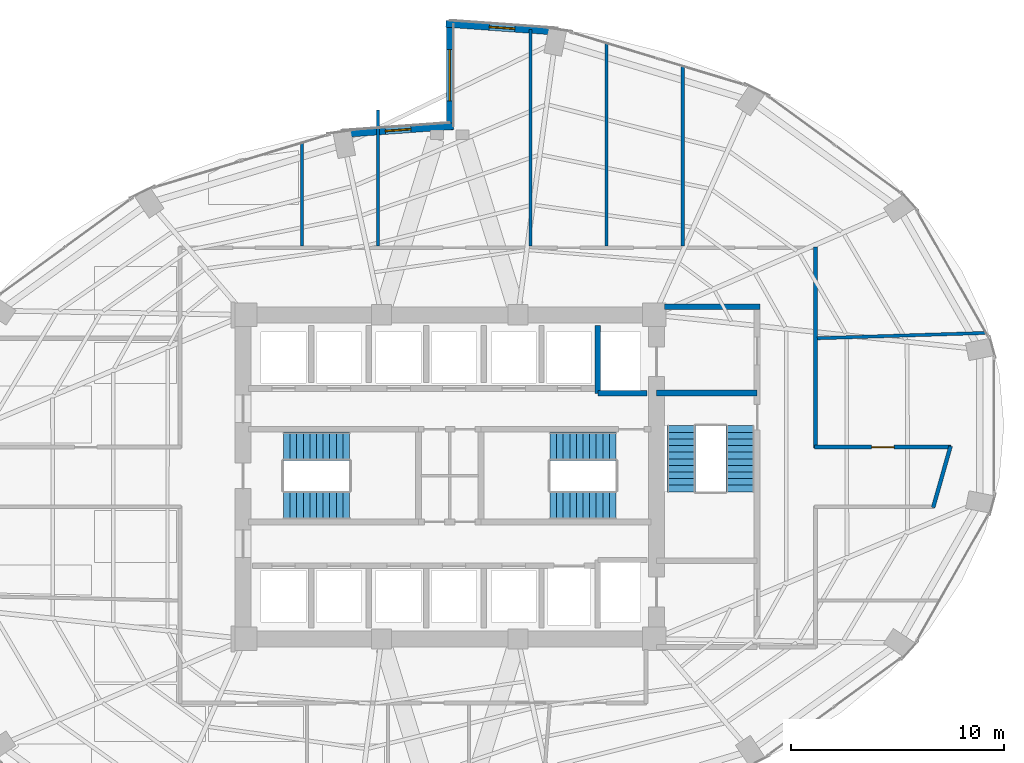
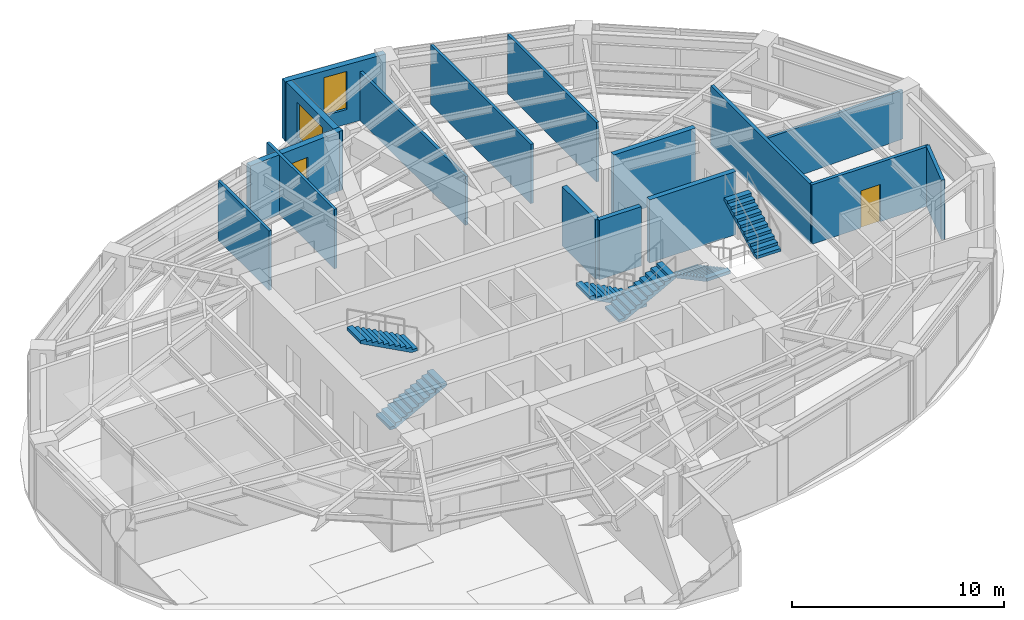
# One storey, part 21 of 23: 16 walls, 6 stair flights, 3 windows, 1 door, 4 openings, 3 elements without a shape of their own.
"""IFC4 building model written with IfcOpenShell, lengths in metres."""

from ifc_helpers import new_model, si_unit, direction, frame, frame_2d, origin, place, context, subcontext, project, spatial, polyline, rectangle, outline, extrude, material, layer, layer_set, type_object, element, fill, aggregate, save


model = new_model("IFC4")

# Units and contexts
model_context = context("Model", 3, precision=1e-05, world=origin(), true_north=direction((0.0, 1.0)))
body_context = subcontext(model_context, "Body", "Model", "MODEL_VIEW")
ifc_project = project(units=[si_unit("LENGTHUNIT", "METRE"), si_unit("AREAUNIT", "SQUARE_METRE"), si_unit("VOLUMEUNIT", "CUBIC_METRE"), si_unit("PLANEANGLEUNIT", "RADIAN"), si_unit("MASSUNIT", "GRAM", prefix="KILO")], contexts=[model_context])

# Site, building, storey
site_placement = place(None, origin())
site = spatial("IfcSite", under=ifc_project, at=site_placement, CompositionType="ELEMENT")
building_placement = place(site_placement, origin())
building = spatial("IfcBuilding", under=site, at=building_placement, Name="Lazwardi Medical Tower", CompositionType="ELEMENT")
storey_placement = place(building_placement, frame((0.0, 0.0, 89.0400390625)))
storey = spatial("IfcBuildingStorey", under=building, at=storey_placement, Name="L22", CompositionType="ELEMENT", Elevation=89.0400390625)

# Wall
ifc_material_1 = material(Name="Fire-rated gypsum board on steel stud", Category="steel")
ifc_layer_1 = layer(ifc_material_1, 0.179931640625)
ifc_layer_set_1 = layer_set([ifc_layer_1], Name="Fire-rated gypsum board on steel stud")
wall_type_1 = type_object("IfcWallType", Name="WL-COR-180", PredefinedType="PARTITIONING", material=ifc_layer_set_1)
wall_1_placement = place(storey_placement, frame((53.14990234375, 38.7900390625, 0.0), z_axis=(0.0, 0.0, 1.0), x_axis=(0.0, -1.0, 0.0)))
element("IfcWall", 1, at=wall_1_placement, inside=storey, type_object=wall_type_1, Name="L22 Corridor partition 5", PredefinedType="PARTITIONING", context=body_context, shape_type="SweptSolid", body=[
    extrude(rectangle(XDim=9.429931640625, YDim=0.179931640625, at=frame_2d((4.71484375, 0.0))), origin(), (0.0, 0.0, 1.0), 3.427978515625),
])

# Wall, opening, door
wall_2_placement = place(storey_placement, frame((53.110107421875, 29.39990234375, 0.0), z_axis=(0.0, 0.0, 1.0), x_axis=(1.0, 0.0, 0.0)))
wall_2 = element("IfcWall", 2, at=wall_2_placement, inside=storey, type_object=wall_type_1, Name="L22 Corridor partition 6", PredefinedType="PARTITIONING", context=body_context, shape_type="SweptSolid", body=[
    extrude(rectangle(XDim=6.41259765625, YDim=0.179931640625, at=frame_2d((3.206298828125, 0.0))), origin(), (0.0, 0.0, 1.0), 3.427978515625),
])
opening_1_placement = place(wall_2_placement, frame((2.681396484375, 0.0, 0.0)))
opening_1 = element("IfcOpeningElement", 3, at=opening_1_placement, cuts=wall_2, Name="Opening D-L22-014", PredefinedType="OPENING", context=body_context, shape_type="SweptSolid", body=[
    extrude(rectangle(XDim=1.050048828125, YDim=2.14990234375, at=frame_2d((0.52490234375, 1.074951171875))), frame((0.0, 0.099853515625, 0.0), z_axis=(0.0, -1.0, 0.0), x_axis=(1.0, 0.0, 0.0)), (0.0, 0.0, 1.0), 0.199951171875),
])
ifc_material_2 = material(Name="Anti-microbial laminate hospital leaf")
door_type = type_object("IfcDoorType", Name="DR-CLN-1050", OperationType="NOTDEFINED", PredefinedType="DOOR", material=ifc_material_2)
door_placement = place(opening_1_placement, origin())
door = element("IfcDoor", 4, at=door_placement, inside=storey, type_object=door_type, Name="L22 Outpatient Consultation Suite Door 06", OperationType="SINGLE_SWING_RIGHT", OverallHeight=2.14990234375, OverallWidth=1.050048828125, PredefinedType="DOOR", context=body_context, shape_type="SweptSolid", body=[
    extrude(rectangle(XDim=1.050048828125, YDim=2.14990234375, at=frame_2d((0.52490234375, 1.074951171875))), frame((0.0, 0.02490234375, 0.0), z_axis=(0.0, -1.0, 0.0), x_axis=(1.0, 0.0, 0.0)), (0.0, 0.0, 1.0), 0.050048828125),
])
fill(opening_1, door)

# Wall
wall_3_placement = place(storey_placement, frame((59.49365234375, 29.4384765625, 0.0), z_axis=(0.0, 0.0, 1.0), x_axis=(-0.273222154729, -0.961950962453, 0.0)))
element("IfcWall", 5, at=wall_3_placement, inside=storey, type_object=wall_type_1, Name="L22 Corridor partition 7", PredefinedType="PARTITIONING", context=body_context, shape_type="SweptSolid", body=[
    extrude(rectangle(XDim=2.99072265625, YDim=0.179931640625, at=frame_2d((1.495361328125, 0.0))), origin(), (0.0, 0.0, 1.0), 3.427978515625),
])

# Wall, opening, window
ifc_material_3 = material(Name="Precast concrete C45/55", Category="concrete")
ifc_layer_2 = layer(ifc_material_3, 0.320068359375)
ifc_layer_set_2 = layer_set([ifc_layer_2], Name="Precast concrete C45/55")
wall_type_2 = type_object("IfcWallType", Name="WL-IWAN-320", PredefinedType="SOLIDWALL", material=ifc_layer_set_2)
wall_4_placement = place(storey_placement, frame((41.091064453125, 48.87451171875, 0.0), z_axis=(0.0, 0.0, 1.0), x_axis=(-0.997432364291, 0.071614793619, 0.0)))
wall_4 = element("IfcWall", 6, at=wall_4_placement, inside=storey, type_object=wall_type_2, Name="L22 Iwan Portal Return Wall NE_ret", PredefinedType="SOLIDWALL", context=body_context, shape_type="SweptSolid", body=[
    extrude(rectangle(XDim=5.2841796875, YDim=0.320068359375, at=frame_2d((2.64208984375, 0.0))), origin(), (0.0, 0.0, 1.0), 3.427978515625),
])
opening_2_placement = place(wall_4_placement, frame((2.0419921875, 0.0, 0.85009765625)))
opening_2 = element("IfcOpeningElement", 7, at=opening_2_placement, cuts=wall_4, Name="Opening WN-01", PredefinedType="OPENING", context=body_context, shape_type="SweptSolid", body=[
    extrude(rectangle(XDim=1.199951171875, YDim=2.199951171875, at=frame_2d((0.60009765625, 1.10009765625))), frame((0.0, 0.169921875, 0.0), z_axis=(0.0, -1.0, 0.0), x_axis=(1.0, 0.0, 0.0)), (0.0, 0.0, 1.0), 0.340087890625),
])
ifc_material_4 = material(Name="Low-e bronze solar control double glazing", Category="glass")
window_type_1 = type_object("IfcWindowType", Name="WIN-IW-1200", PartitioningType="SINGLE_PANEL", PredefinedType="WINDOW", material=ifc_material_4)
window_1_placement = place(opening_2_placement, origin())
window_1 = element("IfcWindow", 8, at=window_1_placement, inside=storey, type_object=window_type_1, Name="L22 Iwan Slot Window NE_ret", OverallHeight=2.199951171875, OverallWidth=1.199951171875, PartitioningType="SINGLE_PANEL", PredefinedType="WINDOW", context=body_context, shape_type="SweptSolid", body=[
    extrude(rectangle(XDim=1.199951171875, YDim=2.199951171875, at=frame_2d((0.60009765625, 1.10009765625))), frame((0.0, 0.030029296875, 0.0), z_axis=(0.0, -1.0, 0.0), x_axis=(1.0, 0.0, 0.0)), (0.0, 0.0, 1.0), 0.06005859375),
])
fill(opening_2, window_1)

wall_5_placement = place(storey_placement, frame((36.178955078125, 44.452880859375, 0.0), z_axis=(0.0, 0.0, 1.0), x_axis=(-0.997431890304, -0.071621394884, 0.0)))
wall_5 = element("IfcWall", 9, at=wall_5_placement, inside=storey, type_object=wall_type_2, Name="L22 Iwan Portal Return Wall NW_ret", PredefinedType="SOLIDWALL", context=body_context, shape_type="SweptSolid", body=[
    extrude(rectangle(XDim=5.28369140625, YDim=0.320068359375, at=frame_2d((2.641845703125, 0.0))), origin(), (0.0, 0.0, 1.0), 3.427978515625),
])
opening_3_placement = place(wall_5_placement, frame((2.007080078125, 0.0, 0.85009765625)))
opening_3 = element("IfcOpeningElement", 10, at=opening_3_placement, cuts=wall_5, Name="Opening WN-04", PredefinedType="OPENING", context=body_context, shape_type="SweptSolid", body=[
    extrude(rectangle(XDim=1.199951171875, YDim=1.800048828125, at=frame_2d((0.60009765625, 0.89990234375))), frame((0.0, 0.169921875, 0.0), z_axis=(0.0, -1.0, 0.0), x_axis=(1.0, 0.0, 0.0)), (0.0, 0.0, 1.0), 0.340087890625),
])
window_type_2 = type_object("IfcWindowType", Name="WIN-DRUM-1200", PartitioningType="SINGLE_PANEL", PredefinedType="WINDOW", material=ifc_material_4)
window_2_placement = place(opening_3_placement, origin())
window_2 = element("IfcWindow", 11, at=window_2_placement, inside=storey, type_object=window_type_2, Name="L22 Iwan Slot Window NW_ret", OverallHeight=1.800048828125, OverallWidth=1.199951171875, PartitioningType="SINGLE_PANEL", PredefinedType="WINDOW", context=body_context, shape_type="SweptSolid", body=[
    extrude(rectangle(XDim=1.199951171875, YDim=1.800048828125, at=frame_2d((0.60009765625, 0.89990234375))), frame((0.0, 0.030029296875, 0.0), z_axis=(0.0, -1.0, 0.0), x_axis=(1.0, 0.0, 0.0)), (0.0, 0.0, 1.0), 0.06005859375),
])
fill(opening_3, window_2)

wall_6_placement = place(storey_placement, frame((36.0, 49.39990234375, 0.0), z_axis=(0.0, 0.0, 1.0), x_axis=(0.0, -1.0, 0.0)))
wall_6 = element("IfcWall", 12, at=wall_6_placement, inside=storey, type_object=wall_type_2, Name="L22 Turquoise Tilework Iwan Seam Wall N_seam", PredefinedType="SOLIDWALL", context=body_context, shape_type="SweptSolid", body=[
    extrude(rectangle(XDim=5.119873046875, YDim=0.320068359375, at=frame_2d((2.56005859375, 0.0))), origin(), (0.0, 0.0, 1.0), 3.427978515625),
])
opening_4_placement = place(wall_6_placement, frame((1.360107421875, 0.0, 0.840087890625)))
opening_4 = element("IfcOpeningElement", 13, at=opening_4_placement, cuts=wall_6, Name="Opening WN-02", PredefinedType="OPENING", context=body_context, shape_type="SweptSolid", body=[
    extrude(rectangle(XDim=2.39990234375, YDim=2.0400390625, at=frame_2d((1.199951171875, 1.02001953125))), frame((0.0, 0.169921875, 0.0), z_axis=(0.0, -1.0, 0.0), x_axis=(1.0, 0.0, 0.0)), (0.0, 0.0, 1.0), 0.340087890625),
])
window_type_3 = type_object("IfcWindowType", Name="WIN-IW-2400", PartitioningType="SINGLE_PANEL", PredefinedType="WINDOW", material=ifc_material_4)
window_3_placement = place(opening_4_placement, origin())
window_3 = element("IfcWindow", 14, at=window_3_placement, inside=storey, type_object=window_type_3, Name="L22 Iwan Seam Window N_seam", OverallHeight=2.0400390625, OverallWidth=2.39990234375, PartitioningType="SINGLE_PANEL", PredefinedType="WINDOW", context=body_context, shape_type="SweptSolid", body=[
    extrude(rectangle(XDim=2.39990234375, YDim=2.0400390625, at=frame_2d((1.199951171875, 1.02001953125))), frame((0.0, 0.030029296875, 0.0), z_axis=(0.0, -1.0, 0.0), x_axis=(1.0, 0.0, 0.0)), (0.0, 0.0, 1.0), 0.06005859375),
])
fill(opening_4, window_3)

# Walls
ifc_material_5 = material(Name="Autoclaved aerated concrete blockwork", Category="masonry")
ifc_layer_3 = layer(ifc_material_5, 0.25)
ifc_layer_set_3 = layer_set([ifc_layer_3], Name="Autoclaved aerated concrete blockwork")
wall_type_3 = type_object("IfcWallType", Name="WL-SHAFT-250", PredefinedType="SOLIDWALL", material=ifc_layer_set_3)
wall_7_placement = place(storey_placement, frame((42.949951171875, 31.919921875, 0.0), z_axis=(0.0, 0.0, 1.0), x_axis=(0.0, 1.0, 0.0)))
element("IfcWall", 15, at=wall_7_placement, inside=storey, type_object=wall_type_3, Name="L22 FL-01 West shaft wall", PredefinedType="SOLIDWALL", context=body_context, shape_type="SweptSolid", body=[
    extrude(rectangle(XDim=3.18017578125, YDim=0.25, at=frame_2d((1.590087890625, 0.0))), origin(), (0.0, 0.0, 1.0), 3.427978515625),
])
wall_8_placement = place(storey_placement, frame((42.949951171875, 31.919921875, 0.0), z_axis=(0.0, 0.0, 1.0), x_axis=(1.0, 0.0, 0.0)))
element("IfcWall", 16, at=wall_8_placement, inside=storey, type_object=wall_type_3, Name="L22 FL-01 South shaft wall", PredefinedType="SOLIDWALL", context=body_context, shape_type="SweptSolid", body=[
    extrude(rectangle(XDim=2.300048828125, YDim=0.25, at=frame_2d((1.14990234375, 0.0))), origin(), (0.0, 0.0, 1.0), 3.427978515625),
])
ifc_material_6 = material(Name="Concrete C50/60", Category="concrete")
ifc_layer_4 = layer(ifc_material_6, 0.27001953125)
ifc_layer_set_4 = layer_set([ifc_layer_4], Name="Concrete C50/60")
wall_type_4 = type_object("IfcWallType", Name="WL-STR-250", PredefinedType="SHEAR", material=ifc_layer_set_4)
wall_9_placement = place(storey_placement, frame((46.074951171875, 35.97998046875, 0.0), z_axis=(0.0, 0.0, 1.0), x_axis=(1.0, 0.0, 0.0)))
element("IfcWall", 17, at=wall_9_placement, inside=storey, type_object=wall_type_4, Name="L22 FFL-N North shear wall SW-S1", PredefinedType="SHEAR", context=body_context, shape_type="SweptSolid", body=[
    extrude(rectangle(XDim=4.47509765625, YDim=0.27001953125, at=frame_2d((2.237548828125, 0.0))), origin(), (0.0, 0.0, 1.0), 3.64794921875),
])
wall_10_placement = place(storey_placement, frame((45.699951171875, 31.93505859375, 0.0), z_axis=(0.0, 0.0, 1.0), x_axis=(1.0, 0.0, 0.0)))
element("IfcWall", 18, at=wall_10_placement, inside=storey, type_object=wall_type_4, Name="L22 ST3 North shear shaft wall SW-S1", PredefinedType="SHEAR", context=body_context, shape_type="SweptSolid", body=[
    extrude(rectangle(XDim=4.715087890625, YDim=0.27001953125, at=frame_2d((2.357421875, 0.0))), origin(), (0.0, 0.0, 1.0), 3.64794921875),
])
ifc_material_7 = material(Name="Acoustic gypsum board partition")
ifc_layer_5 = layer(ifc_material_7, 0.14990234375)
ifc_layer_set_5 = layer_set([ifc_layer_5], Name="Acoustic gypsum board partition")
wall_type_5 = type_object("IfcWallType", Name="WL-WRD-150", PredefinedType="PARTITIONING", material=ifc_layer_set_5)
wall_11_placement = place(storey_placement, frame((53.239990234375, 34.50244140625, 0.0), z_axis=(0.0, 0.0, 1.0), x_axis=(0.999499445349, 0.031636351679, 0.0)))
element("IfcWall", 19, at=wall_11_placement, inside=storey, type_object=wall_type_5, Name="L22 Room partition 4", PredefinedType="PARTITIONING", context=body_context, shape_type="SweptSolid", body=[
    extrude(rectangle(XDim=7.93310546875, YDim=0.14990234375, at=frame_2d((3.966552734375, 0.0))), origin(), (0.0, 0.0, 1.0), 2.81298828125),
])
wall_12_placement = place(storey_placement, frame((29.070068359375, 38.840087890625, 0.0), z_axis=(0.0, 0.0, 1.0), x_axis=(0.0, 1.0, 0.0)))
element("IfcWall", 20, at=wall_12_placement, inside=storey, type_object=wall_type_5, Name="L22 Room partition 5", PredefinedType="PARTITIONING", context=body_context, shape_type="SweptSolid", body=[
    extrude(rectangle(XDim=4.817138671875, YDim=0.14990234375, at=frame_2d((2.40869140625, 0.0))), origin(), (0.0, 0.0, 1.0), 3.427978515625),
])
wall_13_placement = place(storey_placement, frame((32.639892578125, 38.840087890625, 0.0), z_axis=(0.0, 0.0, 1.0), x_axis=(0.0, 1.0, 0.0)))
element("IfcWall", 21, at=wall_13_placement, inside=storey, type_object=wall_type_5, Name="L22 Room partition 6", PredefinedType="PARTITIONING", context=body_context, shape_type="SweptSolid", body=[
    extrude(rectangle(XDim=6.379638671875, YDim=0.14990234375, at=frame_2d((3.18994140625, 0.0))), origin(), (0.0, 0.0, 1.0), 3.427978515625),
])
wall_14_placement = place(storey_placement, frame((39.7900390625, 38.840087890625, 0.0), z_axis=(0.0, 0.0, 1.0), x_axis=(0.0, 1.0, 0.0)))
element("IfcWall", 22, at=wall_14_placement, inside=storey, type_object=wall_type_5, Name="L22 Room partition 7", PredefinedType="PARTITIONING", context=body_context, shape_type="SweptSolid", body=[
    extrude(rectangle(XDim=10.13525390625, YDim=0.14990234375, at=frame_2d((5.067626953125, 0.0))), origin(), (0.0, 0.0, 1.0), 2.81298828125),
])
wall_15_placement = place(storey_placement, frame((43.360107421875, 38.840087890625, 0.0), z_axis=(0.0, 0.0, 1.0), x_axis=(0.0, 1.0, 0.0)))
element("IfcWall", 23, at=wall_15_placement, inside=storey, type_object=wall_type_5, Name="L22 Room partition 8", PredefinedType="PARTITIONING", context=body_context, shape_type="SweptSolid", body=[
    extrude(rectangle(XDim=9.4873046875, YDim=0.14990234375, at=frame_2d((4.74365234375, 0.0))), origin(), (0.0, 0.0, 1.0), 3.427978515625),
])
wall_16_placement = place(storey_placement, frame((46.929931640625, 38.840087890625, 0.0), z_axis=(0.0, 0.0, 1.0), x_axis=(0.0, 1.0, 0.0)))
element("IfcWall", 24, at=wall_16_placement, inside=storey, type_object=wall_type_5, Name="L22 Room partition 9", PredefinedType="PARTITIONING", context=body_context, shape_type="SweptSolid", body=[
    extrude(rectangle(XDim=8.407958984375, YDim=0.14990234375, at=frame_2d((4.2041015625, 0.0))), origin(), (0.0, 0.0, 1.0), 3.427978515625),
])

# Stair, stair flights
ifc_material_8 = material(Name="Concrete C45/55", Category="concrete")
stair_type = type_object("IfcStairType", Name="STR-WRD", PredefinedType="HALF_TURN_STAIR", material=ifc_material_8)
stair_1_placement = place(storey_placement, origin())
stair_1 = element("IfcStair", 25, at=stair_1_placement, inside=storey, type_object=stair_type, Name="L22 Protected Exit Stair ST1", PredefinedType="HALF_TURN_STAIR")
stair_flight_type = type_object("IfcStairFlightType", Name="FLT-WRD", PredefinedType="STRAIGHT", material=ifc_material_8)
stair_flight_1_placement = place(storey_placement, frame((28.199951171875, 26.679931640625, 0.0), z_axis=(0.0, 0.0, 1.0), x_axis=(1.0, 0.0, 0.0)))
stair_flight_1 = element("IfcStairFlight", 26, at=stair_flight_1_placement, type_object=stair_flight_type, Name="ST1 flight 1", NumberOfRisers=11, NumberOfTreads=10, PredefinedType="STRAIGHT", RiserHeight=0.165818182, TreadLength=0.31, context=body_context, shape_type="SweptSolid", body=[
    extrude(outline(polyline([(0.0, 0.0), (0.0, 0.165771484375), (0.31005859375, 0.165771484375), (0.31005859375, 0.33154296875), (0.6201171875, 0.33154296875), (0.6201171875, 0.49755859375), (0.929931640625, 0.49755859375), (0.929931640625, 0.663330078125), (1.239990234375, 0.663330078125), (1.239990234375, 0.8291015625), (1.550048828125, 0.8291015625), (1.550048828125, 0.994873046875), (1.860107421875, 0.994873046875), (1.860107421875, 1.16064453125), (2.169921875, 1.16064453125), (2.169921875, 1.32666015625), (2.47998046875, 1.32666015625), (2.47998046875, 1.492431640625), (2.7900390625, 1.492431640625), (2.7900390625, 1.658203125), (3.10009765625, 1.658203125), (3.10009765625, 1.823974609375), (3.10009765625, 1.48828125), (0.31787109375, 0.0), (0.0, 0.0)])), frame((0.0, 0.66015625, 0.0), z_axis=(0.0, -1.0, 0.0), x_axis=(1.0, 0.0, 0.0)), (0.0, 0.0, 1.0), 1.320068359375),
])
stair_flight_2_placement = place(storey_placement, frame((31.300048828125, 29.43994140625, 1.823974609375), z_axis=(0.0, 0.0, 1.0), x_axis=(-1.0, 0.0, 0.0)))
stair_flight_2 = element("IfcStairFlight", 27, at=stair_flight_2_placement, type_object=stair_flight_type, Name="ST1 flight 2", NumberOfRisers=11, NumberOfTreads=10, PredefinedType="STRAIGHT", RiserHeight=0.165818182, TreadLength=0.31, context=body_context, shape_type="SweptSolid", body=[
    extrude(outline(polyline([(0.0, 0.0), (0.0, 0.165771484375), (0.31005859375, 0.165771484375), (0.31005859375, 0.33154296875), (0.6201171875, 0.33154296875), (0.6201171875, 0.49755859375), (0.929931640625, 0.49755859375), (0.929931640625, 0.663330078125), (1.239990234375, 0.663330078125), (1.239990234375, 0.8291015625), (1.550048828125, 0.8291015625), (1.550048828125, 0.994873046875), (1.860107421875, 0.994873046875), (1.860107421875, 1.16064453125), (2.169921875, 1.16064453125), (2.169921875, 1.32666015625), (2.47998046875, 1.32666015625), (2.47998046875, 1.492431640625), (2.7900390625, 1.492431640625), (2.7900390625, 1.658203125), (3.10009765625, 1.658203125), (3.10009765625, 1.823974609375), (3.10009765625, 1.48828125), (0.31787109375, 0.0), (0.0, 0.0)])), frame((0.0, 0.66015625, 0.0), z_axis=(0.0, -1.0, 0.0), x_axis=(1.0, 0.0, 0.0)), (0.0, 0.0, 1.0), 1.320068359375),
])
aggregate(stair_1, [stair_flight_1, stair_flight_2])

stair_2_placement = place(storey_placement, origin())
stair_2 = element("IfcStair", 28, at=stair_2_placement, inside=storey, type_object=stair_type, Name="L22 Protected Exit Stair ST2", PredefinedType="HALF_TURN_STAIR")
stair_flight_3_placement = place(storey_placement, frame((43.800048828125, 29.43994140625, 0.0), z_axis=(0.0, 0.0, 1.0), x_axis=(-1.0, 0.0, 0.0)))
stair_flight_3 = element("IfcStairFlight", 29, at=stair_flight_3_placement, type_object=stair_flight_type, Name="ST2 flight 1", NumberOfRisers=11, NumberOfTreads=10, PredefinedType="STRAIGHT", RiserHeight=0.165818182, TreadLength=0.31, context=body_context, shape_type="SweptSolid", body=[
    extrude(outline(polyline([(0.0, 0.0), (0.0, 0.165771484375), (0.31005859375, 0.165771484375), (0.31005859375, 0.33154296875), (0.6201171875, 0.33154296875), (0.6201171875, 0.49755859375), (0.929931640625, 0.49755859375), (0.929931640625, 0.663330078125), (1.239990234375, 0.663330078125), (1.239990234375, 0.8291015625), (1.550048828125, 0.8291015625), (1.550048828125, 0.994873046875), (1.860107421875, 0.994873046875), (1.860107421875, 1.16064453125), (2.169921875, 1.16064453125), (2.169921875, 1.32666015625), (2.47998046875, 1.32666015625), (2.47998046875, 1.492431640625), (2.7900390625, 1.492431640625), (2.7900390625, 1.658203125), (3.10009765625, 1.658203125), (3.10009765625, 1.823974609375), (3.10009765625, 1.48828125), (0.31787109375, 0.0), (0.0, 0.0)])), frame((0.0, 0.66015625, 0.0), z_axis=(0.0, -1.0, 0.0), x_axis=(1.0, 0.0, 0.0)), (0.0, 0.0, 1.0), 1.320068359375),
])
stair_flight_4_placement = place(storey_placement, frame((40.699951171875, 26.679931640625, 1.823974609375), z_axis=(0.0, 0.0, 1.0), x_axis=(1.0, 0.0, 0.0)))
stair_flight_4 = element("IfcStairFlight", 30, at=stair_flight_4_placement, type_object=stair_flight_type, Name="ST2 flight 2", NumberOfRisers=11, NumberOfTreads=10, PredefinedType="STRAIGHT", RiserHeight=0.165818182, TreadLength=0.31, context=body_context, shape_type="SweptSolid", body=[
    extrude(outline(polyline([(0.0, 0.0), (0.0, 0.165771484375), (0.31005859375, 0.165771484375), (0.31005859375, 0.33154296875), (0.6201171875, 0.33154296875), (0.6201171875, 0.49755859375), (0.929931640625, 0.49755859375), (0.929931640625, 0.663330078125), (1.239990234375, 0.663330078125), (1.239990234375, 0.8291015625), (1.550048828125, 0.8291015625), (1.550048828125, 0.994873046875), (1.860107421875, 0.994873046875), (1.860107421875, 1.16064453125), (2.169921875, 1.16064453125), (2.169921875, 1.32666015625), (2.47998046875, 1.32666015625), (2.47998046875, 1.492431640625), (2.7900390625, 1.492431640625), (2.7900390625, 1.658203125), (3.10009765625, 1.658203125), (3.10009765625, 1.823974609375), (3.10009765625, 1.48828125), (0.31787109375, 0.0), (0.0, 0.0)])), frame((0.0, 0.66015625, 0.0), z_axis=(0.0, -1.0, 0.0), x_axis=(1.0, 0.0, 0.0)), (0.0, 0.0, 1.0), 1.320068359375),
])
aggregate(stair_2, [stair_flight_3, stair_flight_4])

stair_3_placement = place(storey_placement, origin())
stair_3 = element("IfcStair", 31, at=stair_3_placement, inside=storey, type_object=stair_type, Name="L22 Protected Exit Stair ST3", PredefinedType="HALF_TURN_STAIR")
stair_flight_5_placement = place(storey_placement, frame((46.860107421875, 30.39990234375, 0.0), z_axis=(0.0, 0.0, 1.0), x_axis=(0.0, -1.0, 0.0)))
stair_flight_5 = element("IfcStairFlight", 32, at=stair_flight_5_placement, type_object=stair_flight_type, Name="ST3 flight 1", NumberOfRisers=11, NumberOfTreads=10, PredefinedType="STRAIGHT", RiserHeight=0.165818182, TreadLength=0.31, context=body_context, shape_type="SweptSolid", body=[
    extrude(outline(polyline([(0.0, 0.0), (0.0, 0.165771484375), (0.31005859375, 0.165771484375), (0.31005859375, 0.33154296875), (0.6201171875, 0.33154296875), (0.6201171875, 0.49755859375), (0.929931640625, 0.49755859375), (0.929931640625, 0.663330078125), (1.239990234375, 0.663330078125), (1.239990234375, 0.8291015625), (1.550048828125, 0.8291015625), (1.550048828125, 0.994873046875), (1.860107421875, 0.994873046875), (1.860107421875, 1.16064453125), (2.169921875, 1.16064453125), (2.169921875, 1.32666015625), (2.47998046875, 1.32666015625), (2.47998046875, 1.492431640625), (2.7900390625, 1.492431640625), (2.7900390625, 1.658203125), (3.10009765625, 1.658203125), (3.10009765625, 1.823974609375), (3.10009765625, 1.48828125), (0.31787109375, 0.0), (0.0, 0.0)])), frame((0.0, 0.66015625, 0.0), z_axis=(0.0, -1.0, 0.0), x_axis=(1.0, 0.0, 0.0)), (0.0, 0.0, 1.0), 1.320068359375),
])
stair_flight_6_placement = place(storey_placement, frame((49.6201171875, 27.300048828125, 1.823974609375), z_axis=(0.0, 0.0, 1.0), x_axis=(0.0, 1.0, 0.0)))
stair_flight_6 = element("IfcStairFlight", 33, at=stair_flight_6_placement, type_object=stair_flight_type, Name="ST3 flight 2", NumberOfRisers=11, NumberOfTreads=10, PredefinedType="STRAIGHT", RiserHeight=0.165818182, TreadLength=0.31, context=body_context, shape_type="SweptSolid", body=[
    extrude(outline(polyline([(0.0, 0.0), (0.0, 0.165771484375), (0.31005859375, 0.165771484375), (0.31005859375, 0.33154296875), (0.6201171875, 0.33154296875), (0.6201171875, 0.49755859375), (0.929931640625, 0.49755859375), (0.929931640625, 0.663330078125), (1.239990234375, 0.663330078125), (1.239990234375, 0.8291015625), (1.550048828125, 0.8291015625), (1.550048828125, 0.994873046875), (1.860107421875, 0.994873046875), (1.860107421875, 1.16064453125), (2.169921875, 1.16064453125), (2.169921875, 1.32666015625), (2.47998046875, 1.32666015625), (2.47998046875, 1.492431640625), (2.7900390625, 1.492431640625), (2.7900390625, 1.658203125), (3.10009765625, 1.658203125), (3.10009765625, 1.823974609375), (3.10009765625, 1.48828125), (0.31787109375, 0.0), (0.0, 0.0)])), frame((0.0, 0.66015625, 0.0), z_axis=(0.0, -1.0, 0.0), x_axis=(1.0, 0.0, 0.0)), (0.0, 0.0, 1.0), 1.320068359375),
])
aggregate(stair_3, [stair_flight_5, stair_flight_6])

save(model, "model.ifc")
